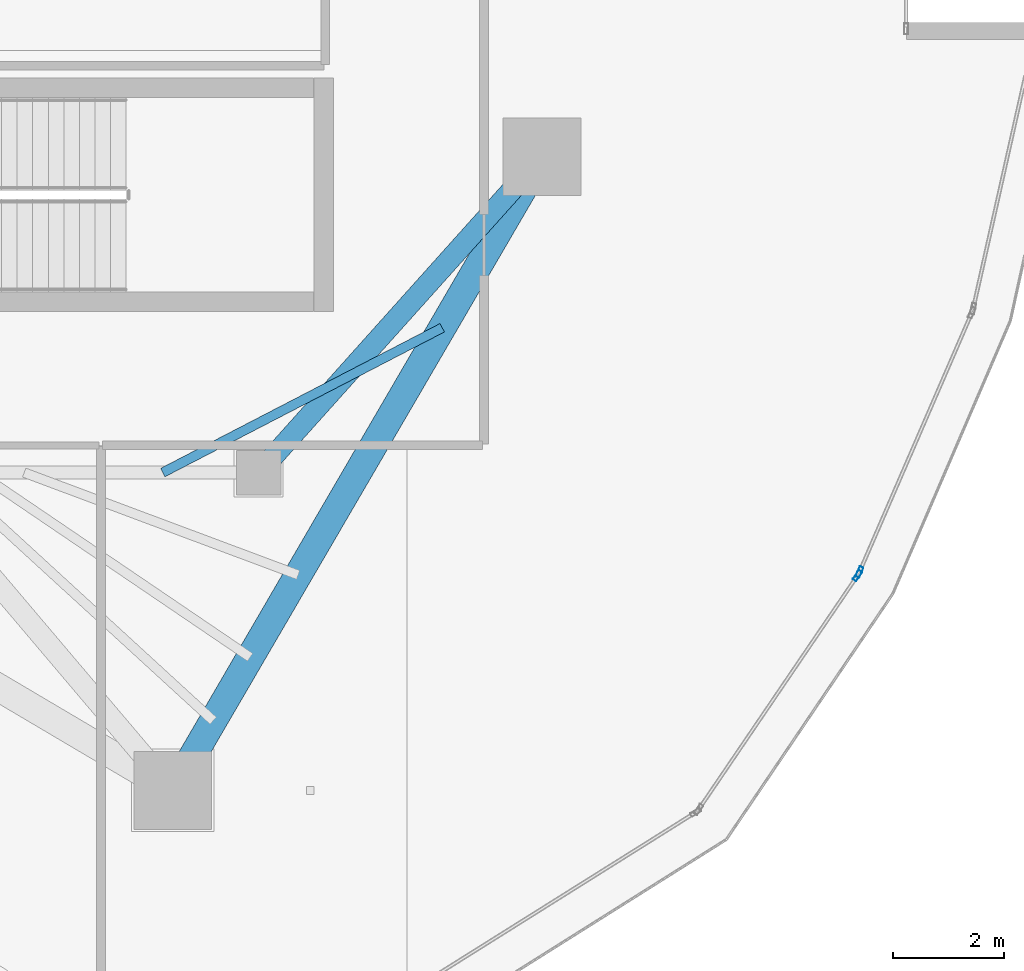
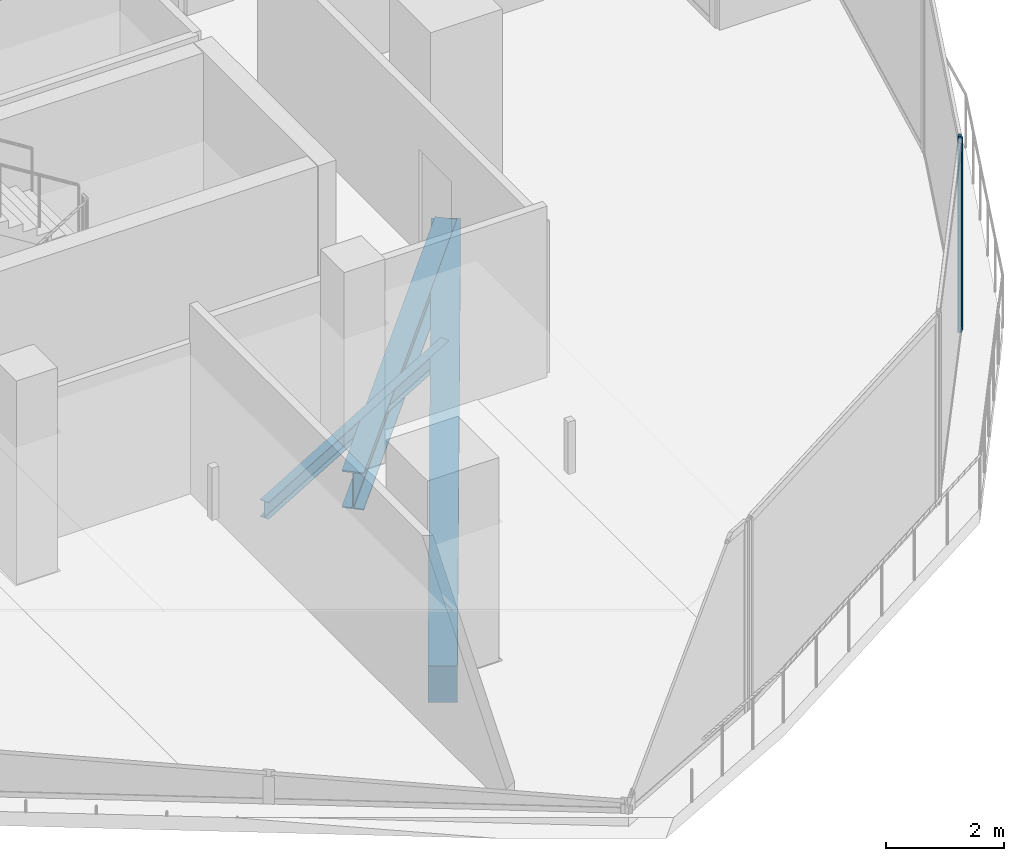
# One storey, part 8 of 25: 3 beams, 2 members, 2 elements without a shape of their own.
"""IFC4 building model written with IfcOpenShell, lengths in metres."""

from ifc_helpers import new_model, si_unit, direction, frame, origin, origin_2d, place, context, subcontext, project, spatial, rectangle, hollow_rectangle, i_section, extrude, material, layer, layer_set, material_profile, profile_set, type_object, element, aggregate, save


model = new_model("IFC4")

# Units and contexts
model_context = context("Model", 3, precision=1e-05, world=origin(), true_north=direction((0.0, 1.0)))
body_context = subcontext(model_context, "Body", "Model", "MODEL_VIEW")
ifc_project = project(units=[si_unit("LENGTHUNIT", "METRE"), si_unit("AREAUNIT", "SQUARE_METRE"), si_unit("VOLUMEUNIT", "CUBIC_METRE"), si_unit("PLANEANGLEUNIT", "RADIAN"), si_unit("MASSUNIT", "GRAM", prefix="KILO")], contexts=[model_context])

# Site, building, storey
site_placement = place(None, origin())
site = spatial("IfcSite", under=ifc_project, at=site_placement, CompositionType="ELEMENT")
building_placement = place(site_placement, origin())
building = spatial("IfcBuilding", under=site, at=building_placement, Name="Qorvath Tower", CompositionType="ELEMENT")
storey_placement = place(building_placement, frame((0.0, 0.0, 297.60009765625)))
storey = spatial("IfcBuildingStorey", under=building, at=storey_placement, Name="L69", CompositionType="ELEMENT", Elevation=297.60009765625)

# Beams
ifc_material_1 = material(Name="Steel ASTM A992 Grade 50", Category="steel")
ifc_material_profile_1 = material_profile(ifc_material_1, i_section(OverallWidth=0.381103515625, OverallDepth=0.77294921875, WebThickness=0.0166015625, FlangeThickness=0.027099609375, FilletRadius=0.01904296875, at=origin_2d()), Name="W30x173")
ifc_profile_set_1 = profile_set([ifc_material_profile_1], Name="Steel ASTM A992 Grade 50")
beam_type_1 = type_object("IfcBeamType", Name="BM-FG3", PredefinedType="BEAM", material=ifc_profile_set_1)
beam_1_placement = place(storey_placement, frame((-17.199951171875, -11.449951171875, -0.676513671875), z_axis=(0.667543184261, 0.744571082669, 0.0), x_axis=(-0.744571082669, 0.667543184261, 0.0)))
element("IfcBeam", 1, at=beam_1_placement, inside=storey, type_object=beam_type_1, Name="Radial Floor Girder CC3-MC4 L69", PredefinedType="BEAM", context=body_context, shape_type="SweptSolid", body=[
    extrude(i_section(OverallWidth=0.381103515625, OverallDepth=0.77294921875, WebThickness=0.0166015625, FlangeThickness=0.027099609375, FilletRadius=0.01904296875, at=origin_2d()), origin(), (0.0, 0.0, 1.0), 7.644775390625),
])
ifc_material_2 = material(Name="Steel ASTM A992 Grade 50", Category="steel")
ifc_material_profile_2 = material_profile(ifc_material_2, i_section(OverallWidth=0.1708984375, OverallDepth=0.35107421875, WebThickness=0.0068359375, FlangeThickness=0.009765625, FilletRadius=0.010009765625, at=origin_2d()), Name="W14x30")
ifc_profile_set_2 = profile_set([ifc_material_profile_2], Name="Steel ASTM A992 Grade 50")
beam_type_2 = type_object("IfcBeamType", Name="BM-FJ4", PredefinedType="JOIST", material=ifc_profile_set_2)
beam_2_placement = place(storey_placement, frame((-18.927978515625, -11.449951171875, -0.465576171875), z_axis=(0.887840529015, 0.460151274082, 0.0), x_axis=(-0.460151274082, 0.887840529015, 0.0)))
element("IfcBeam", 2, at=beam_2_placement, inside=storey, type_object=beam_type_2, Name="Composite Floor Joist SE2 L69", PredefinedType="JOIST", context=body_context, shape_type="SweptSolid", body=[
    extrude(i_section(OverallWidth=0.1708984375, OverallDepth=0.35107421875, WebThickness=0.0068359375, FlangeThickness=0.009765625, FilletRadius=0.010009765625, at=origin_2d()), origin(), (0.0, 0.0, 1.0), 5.670654296875),
])
ifc_material_3 = material(Name="Concrete C45/55", Category="concrete")
ifc_material_profile_3 = material_profile(ifc_material_3, rectangle(XDim=0.5, YDim=0.75, at=origin_2d()), Name="RCB 750x500")
ifc_profile_set_3 = profile_set([ifc_material_profile_3], Name="Concrete C45/55")
beam_type_3 = type_object("IfcBeamType", Name="BM-RCB3", PredefinedType="SPANDREL", material=ifc_profile_set_3)
beam_3_placement = place(storey_placement, frame((-18.75048828125, -17.175537109375, -0.6650390625), z_axis=(0.503502256692, 0.863993910572, 0.0), x_axis=(-0.863993910572, 0.503502256692, 0.0)))
element("IfcBeam", 3, at=beam_3_placement, inside=storey, type_object=beam_type_3, Name="Perimeter Loggia Frame Beam MC3-MC4 L69", PredefinedType="SPANDREL", context=body_context, shape_type="SweptSolid", body=[
    extrude(rectangle(XDim=0.5, YDim=0.75, at=origin_2d()), origin(), (0.0, 0.0, 1.0), 13.215087890625),
])

# Curtain wall, member
ifc_material_4 = material(Name="Anodised aluminium and triple low-E glass", Category="aluminium")
ifc_layer = layer(ifc_material_4, 0.179931640625)
ifc_layer_set = layer_set([ifc_layer], Name="CW-SYS-5")
curtain_wall_type = type_object("IfcCurtainWallType", Name="CW-SYS-5", PredefinedType="NOTDEFINED", material=ifc_layer_set)
curtain_wall_1_placement = place(storey_placement, origin())
curtain_wall_1 = element("IfcCurtainWall", 4, at=curtain_wall_1_placement, inside=storey, type_object=curtain_wall_type, Name="Curtain Wall CW-5 CW-T-L69-5.1", PredefinedType="NOTDEFINED")
ifc_material_5 = material(Name="Anodised aluminium 6063-T6", Category="aluminium")
ifc_material_profile_4 = material_profile(ifc_material_5, hollow_rectangle(XDim=0.074951171875, YDim=0.199951171875, WallThickness=0.00390625, InnerFilletRadius=0.00390625, OuterFilletRadius=0.008056640625, at=origin_2d()), Name="CWM 200x75")
ifc_profile_set_4 = profile_set([ifc_material_profile_4], Name="Anodised aluminium 6063-T6")
member_type = type_object("IfcMemberType", Name="CWM-200", PredefinedType="MULLION", material=ifc_profile_set_4)
member_1_placement = place(storey_placement, frame((-6.4130859375, -13.30712890625, 0.0), z_axis=(0.0, 0.0, 1.0), x_axis=(-0.827147097371, 0.561985479626, 0.0)))
member_1 = element("IfcMember", 5, at=member_1_placement, type_object=member_type, Name="CW-5 mullion 2", PredefinedType="MULLION", context=body_context, shape_type="SweptSolid", body=[
    extrude(hollow_rectangle(XDim=0.074951171875, YDim=0.199951171875, WallThickness=0.00390625, InnerFilletRadius=0.00390625, OuterFilletRadius=0.008056640625, at=origin_2d()), origin(), (0.0, 0.0, 1.0), 3.909912109375),
])
aggregate(curtain_wall_1, [member_1])

curtain_wall_2_placement = place(storey_placement, origin())
curtain_wall_2 = element("IfcCurtainWall", 6, at=curtain_wall_2_placement, inside=storey, type_object=curtain_wall_type, Name="Curtain Wall CW-5 CW-T-L69-6.1", PredefinedType="NOTDEFINED")
member_2_placement = place(storey_placement, frame((-6.377197265625, -13.24169921875, 0.0), z_axis=(0.0, 0.0, 1.0), x_axis=(-0.91753373573, 0.397657948238, 0.0)))
member_2 = element("IfcMember", 7, at=member_2_placement, type_object=member_type, Name="CW-5 mullion 1", PredefinedType="MULLION", context=body_context, shape_type="SweptSolid", body=[
    extrude(hollow_rectangle(XDim=0.074951171875, YDim=0.199951171875, WallThickness=0.00390625, InnerFilletRadius=0.00390625, OuterFilletRadius=0.008056640625, at=origin_2d()), origin(), (0.0, 0.0, 1.0), 3.909912109375),
])
aggregate(curtain_wall_2, [member_2])

save(model, "model.ifc")
